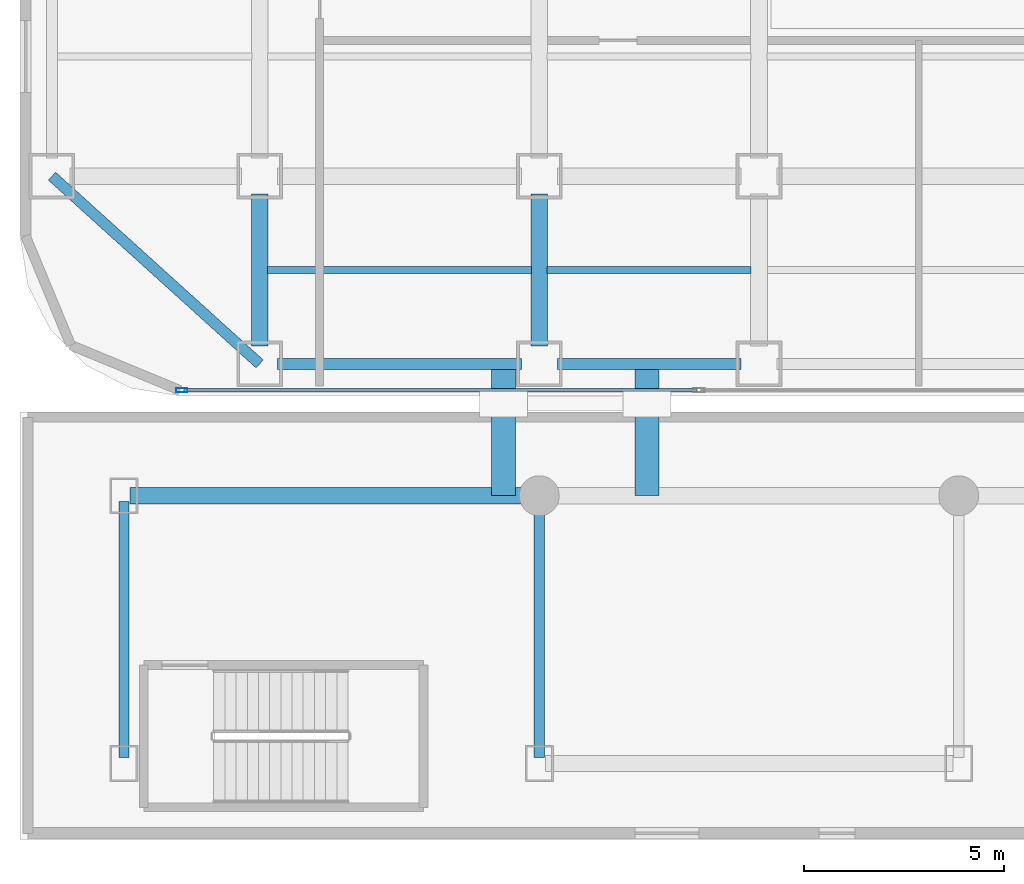
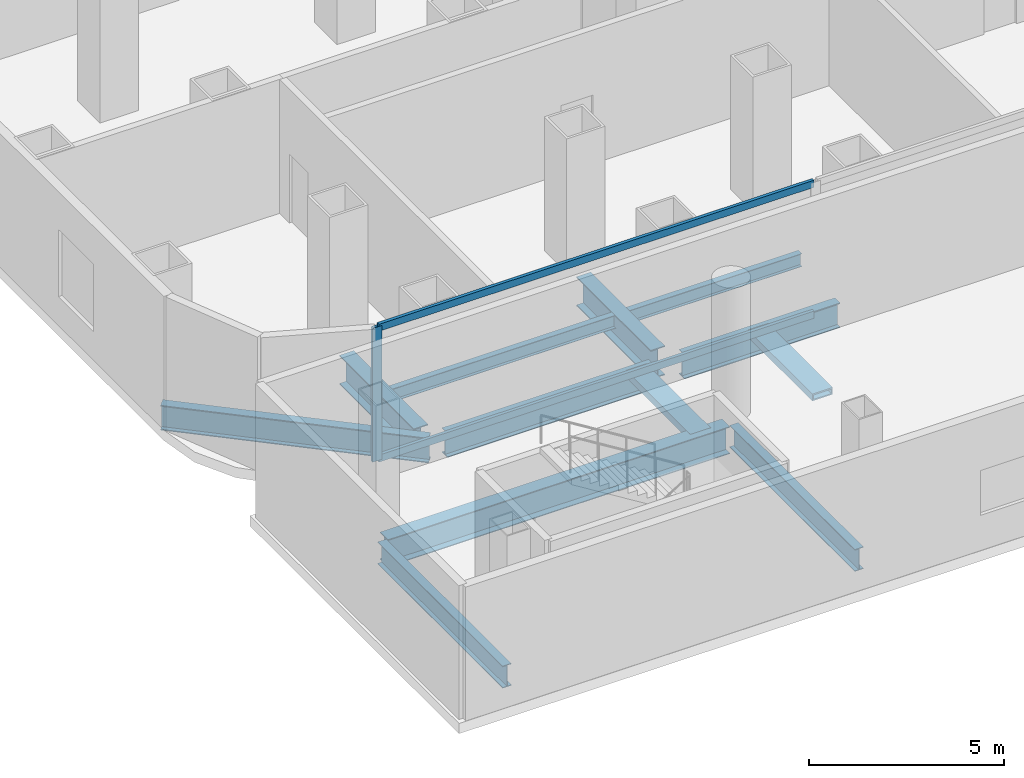
# One storey, part 6 of 26: 10 beams, 5 members, 1 element without a shape of its own.
"""IFC4 building model written with IfcOpenShell, lengths in metres."""

from ifc_helpers import new_model, si_unit, direction, frame, origin, origin_2d, place, context, subcontext, project, spatial, hollow_rectangle, i_section, extrude, source, transform, mapped, material, layer, layer_set, material_profile, profile_set, type_object, element, aggregate, save


model = new_model("IFC4")

# Units and contexts
model_context = context("Model", 3, precision=1e-05, world=origin(), true_north=direction((0.0, 1.0)))
body_context = subcontext(model_context, "Body", "Model", "MODEL_VIEW")
ifc_project = project(units=[si_unit("LENGTHUNIT", "METRE"), si_unit("AREAUNIT", "SQUARE_METRE"), si_unit("VOLUMEUNIT", "CUBIC_METRE"), si_unit("PLANEANGLEUNIT", "RADIAN"), si_unit("MASSUNIT", "GRAM", prefix="KILO")], contexts=[model_context])

# Site, building, storey
site_placement = place(None, origin())
site = spatial("IfcSite", under=ifc_project, at=site_placement, CompositionType="ELEMENT")
building_placement = place(site_placement, origin())
building = spatial("IfcBuilding", under=site, at=building_placement, Name="Kolveth Station Tower", CompositionType="ELEMENT")
storey_placement = place(building_placement, frame((0.0, 0.0, 9.0)))
storey = spatial("IfcBuildingStorey", under=building, at=storey_placement, Name="L02", CompositionType="ELEMENT", Elevation=9.0)

# Beams
ifc_material_1 = material(Name="Steel S355", Category="steel")
ifc_material_profile_1 = material_profile(ifc_material_1, i_section(OverallWidth=0.26904296875, OverallDepth=0.77490234375, WebThickness=0.01708984375, FlangeThickness=0.0283203125, at=origin_2d()), Name="W760x220")
ifc_profile_set_1 = profile_set([ifc_material_profile_1], Name="Steel S355")
beam_type_1 = type_object("IfcBeamType", Name="Beam_SP1", PredefinedType="SPANDREL", material=ifc_profile_set_1)
shared_shape_1 = source(origin(), body_context, "Body", "SweptSolid", [
    extrude(i_section(OverallWidth=0.26904296875, OverallDepth=0.77490234375, WebThickness=0.01708984375, FlangeThickness=0.0283203125, at=origin_2d()), origin(), (0.0, 0.0, 1.0), 6.10009765625),
])
beam_1_placement = place(storey_placement, frame((6.449951171875, 0.800048828125, -0.70751953125), z_axis=(1.0, 0.0, 0.0), x_axis=(0.0, 1.0, 0.0)))
element("IfcBeam", 1, at=beam_1_placement, inside=storey, type_object=beam_type_1, Name="L02 Perimeter Spandrel BM-L02-PS-1", PredefinedType="SPANDREL", context=body_context, shape_type="MappedRepresentation", body=[
    mapped(shared_shape_1, transform((0.0, 0.0, 0.0), x_axis=(1.0, 0.0, 0.0), y_axis=(0.0, 1.0, 0.0), z_axis=(0.0, 0.0, 1.0), scale=1.0)),
])
shared_shape_2 = source(origin(), body_context, "Body", "SweptSolid", [
    extrude(i_section(OverallWidth=0.26904296875, OverallDepth=0.77490234375, WebThickness=0.01708984375, FlangeThickness=0.0283203125, at=origin_2d()), origin(), (0.0, 0.0, 1.0), 4.60009765625),
])
beam_2_placement = place(storey_placement, frame((13.449951171875, 0.800048828125, -0.70751953125), z_axis=(1.0, 0.0, 0.0), x_axis=(0.0, 1.0, 0.0)))
element("IfcBeam", 2, at=beam_2_placement, inside=storey, type_object=beam_type_1, Name="L02 Perimeter Spandrel BM-L02-PS-2", PredefinedType="SPANDREL", context=body_context, shape_type="MappedRepresentation", body=[
    mapped(shared_shape_2, transform((0.0, 0.0, 0.0), x_axis=(1.0, 0.0, 0.0), y_axis=(0.0, 1.0, 0.0), z_axis=(0.0, 0.0, 1.0), scale=1.0)),
])
shared_shape_3 = source(origin(), body_context, "Body", "SweptSolid", [
    extrude(i_section(OverallWidth=0.26904296875, OverallDepth=0.77490234375, WebThickness=0.01708984375, FlangeThickness=0.0283203125, at=origin_2d()), origin(), (0.0, 0.0, 1.0), 7.00927734375),
])
beam_3_placement = place(storey_placement, frame((0.800048828125, 5.5, -0.70751953125), z_axis=(0.741874009795, -0.670539300557, 0.0), x_axis=(0.670539300557, 0.741874009795, 0.0)))
element("IfcBeam", 3, at=beam_3_placement, inside=storey, type_object=beam_type_1, Name="L02 Corner Edge Girder BM-L02-CNR-SW", PredefinedType="SPANDREL", context=body_context, shape_type="MappedRepresentation", body=[
    mapped(shared_shape_3, transform((0.0, 0.0, 0.0), x_axis=(1.0, 0.0, 0.0), y_axis=(0.0, 1.0, 0.0), z_axis=(0.0, 0.0, 1.0), scale=1.0)),
])
ifc_material_profile_2 = material_profile(ifc_material_1, i_section(OverallWidth=0.41796875, OverallDepth=0.912109375, WebThickness=0.019287109375, FlangeThickness=0.031982421875, at=origin_2d()), Name="W920x342")
ifc_profile_set_2 = profile_set([ifc_material_profile_2], Name="Steel S355")
beam_type_2 = type_object("IfcBeamType", Name="Beam_B1", PredefinedType="BEAM", material=ifc_profile_set_2)
shared_shape_4 = source(origin(), body_context, "Body", "SweptSolid", [
    extrude(i_section(OverallWidth=0.41796875, OverallDepth=0.912109375, WebThickness=0.019287109375, FlangeThickness=0.031982421875, at=origin_2d()), origin(), (0.0, 0.0, 1.0), 3.800048828125),
])
for number, where, z_axis, x_axis, name in (
    (4, (6.0, 1.25, -0.77587890625), (0.0, 1.0, 0.0), (-1.0, 0.0, 0.0), "L02 Primary Girder BM-L02-GX60-1"),
    (5, (13.0, 1.25, -0.77587890625), (0.0, 1.0, 0.0), (-1.0, 0.0, 0.0), "L02 Primary Girder BM-L02-GX130-1"),
):
    element("IfcBeam", number, at=place(storey_placement, frame(where, z_axis=z_axis, x_axis=x_axis)), inside=storey, type_object=beam_type_2, Name=name, PredefinedType="BEAM", context=body_context, shape_type="MappedRepresentation", body=[
        mapped(shared_shape_4, transform((0.0, 0.0, 0.0), x_axis=(1.0, 0.0, 0.0), y_axis=(0.0, 1.0, 0.0), z_axis=(0.0, 0.0, 1.0), scale=1.0)),
    ])
ifc_material_profile_3 = material_profile(ifc_material_1, i_section(OverallWidth=0.177978515625, OverallDepth=0.406982421875, WebThickness=0.0078125, FlangeThickness=0.0126953125, at=origin_2d()), Name="W410x60")
ifc_profile_set_3 = profile_set([ifc_material_profile_3], Name="Steel S355")
beam_type_3 = type_object("IfcBeamType", Name="Beam_J1", PredefinedType="JOIST", material=ifc_profile_set_3)
shared_shape_5 = source(origin(), body_context, "Body", "SweptSolid", [
    extrude(i_section(OverallWidth=0.177978515625, OverallDepth=0.406982421875, WebThickness=0.0078125, FlangeThickness=0.0126953125, at=origin_2d()), origin(), (0.0, 0.0, 1.0), 6.60986328125),
])
beam_4_placement = place(storey_placement, frame((6.195068359375, 3.14990234375, -0.5234375), z_axis=(1.0, 0.0, 0.0), x_axis=(0.0, 1.0, 0.0)))
element("IfcBeam", 6, at=beam_4_placement, inside=storey, type_object=beam_type_3, Name="L02 Secondary Joist JST-L02-2-1", PredefinedType="JOIST", context=body_context, shape_type="MappedRepresentation", body=[
    mapped(shared_shape_5, transform((0.0, 0.0, 0.0), x_axis=(1.0, 0.0, 0.0), y_axis=(0.0, 1.0, 0.0), z_axis=(0.0, 0.0, 1.0), scale=1.0)),
])
shared_shape_6 = source(origin(), body_context, "Body", "SweptSolid", [
    extrude(i_section(OverallWidth=0.177978515625, OverallDepth=0.406982421875, WebThickness=0.0078125, FlangeThickness=0.0126953125, at=origin_2d()), origin(), (0.0, 0.0, 1.0), 5.10986328125),
])
beam_5_placement = place(storey_placement, frame((13.195068359375, 3.14990234375, -0.5234375), z_axis=(1.0, 0.0, 0.0), x_axis=(0.0, 1.0, 0.0)))
element("IfcBeam", 7, at=beam_5_placement, inside=storey, type_object=beam_type_3, Name="L02 Secondary Joist JST-L02-3-1", PredefinedType="JOIST", context=body_context, shape_type="MappedRepresentation", body=[
    mapped(shared_shape_6, transform((0.0, 0.0, 0.0), x_axis=(1.0, 0.0, 0.0), y_axis=(0.0, 1.0, 0.0), z_axis=(0.0, 0.0, 1.0), scale=1.0)),
])
ifc_material_profile_4 = material_profile(ifc_material_1, i_section(OverallWidth=0.40087890625, OverallDepth=0.85107421875, WebThickness=0.01611328125, FlangeThickness=0.025390625, at=origin_2d()), Name="W840x226")
ifc_profile_set_4 = profile_set([ifc_material_profile_4], Name="Steel S355")
beam_type_4 = type_object("IfcBeamType", Name="Beam_B2", PredefinedType="BEAM", material=ifc_profile_set_4)
shared_shape_7 = source(origin(), body_context, "Body", "SweptSolid", [
    extrude(i_section(OverallWidth=0.40087890625, OverallDepth=0.85107421875, WebThickness=0.01611328125, FlangeThickness=0.025390625, at=origin_2d()), origin(), (0.0, 0.0, 1.0), 10.10009765625),
])
beam_6_placement = place(storey_placement, frame((2.75, -2.5, -0.74560546875), z_axis=(1.0, 0.0, 0.0), x_axis=(0.0, 1.0, 0.0)))
element("IfcBeam", 8, at=beam_6_placement, inside=storey, type_object=beam_type_4, Name="L02 Station Concourse Girder SBM-L02-SL2-1", PredefinedType="BEAM", context=body_context, shape_type="MappedRepresentation", body=[
    mapped(shared_shape_7, transform((0.0, 0.0, 0.0), x_axis=(1.0, 0.0, 0.0), y_axis=(0.0, 1.0, 0.0), z_axis=(0.0, 0.0, 1.0), scale=1.0)),
])
ifc_material_profile_5 = material_profile(ifc_material_1, i_section(OverallWidth=0.25390625, OverallDepth=0.68798828125, WebThickness=0.01318359375, FlangeThickness=0.02099609375, at=origin_2d()), Name="W690x152")
ifc_profile_set_5 = profile_set([ifc_material_profile_5], Name="Steel S355")
beam_type_5 = type_object("IfcBeamType", Name="Beam_B4", PredefinedType="BEAM", material=ifc_profile_set_5)
shared_shape_8 = source(origin(), body_context, "Body", "SweptSolid", [
    extrude(i_section(OverallWidth=0.25390625, OverallDepth=0.68798828125, WebThickness=0.01318359375, FlangeThickness=0.02099609375, at=origin_2d()), origin(), (0.0, 0.0, 1.0), 6.400146484375),
])
for number, where, z_axis, x_axis, name in (
    (9, (2.60009765625, -9.050048828125, -0.6640625), (0.0, 1.0, 0.0), (-1.0, 0.0, 0.0), "L02 Station Transverse Beam SBM-L02-ST-1"),
    (10, (13.0, -9.050048828125, -0.6640625), (0.0, 1.0, 0.0), (-1.0, 0.0, 0.0), "L02 Station Transverse Beam SBM-L02-ST-2"),
):
    element("IfcBeam", number, at=place(storey_placement, frame(where, z_axis=z_axis, x_axis=x_axis)), inside=storey, type_object=beam_type_5, Name=name, PredefinedType="BEAM", context=body_context, shape_type="MappedRepresentation", body=[
        mapped(shared_shape_8, transform((0.0, 0.0, 0.0), x_axis=(1.0, 0.0, 0.0), y_axis=(0.0, 1.0, 0.0), z_axis=(0.0, 0.0, 1.0), scale=1.0)),
    ])

# Members
ifc_material_2 = material(Name="Steel S355 and PTFE elastomer", Category="steel")
ifc_material_profile_6 = material_profile(ifc_material_2, hollow_rectangle(XDim=0.60009765625, YDim=0.219970703125, WallThickness=0.0400390625, at=origin_2d()), Name="PTFE-BEARING-750x600")
ifc_profile_set_6 = profile_set([ifc_material_profile_6], Name="Steel S355 and PTFE elastomer")
member_type_1 = type_object("IfcMemberType", Name="Mem_BRG1", PredefinedType="USERDEFINED", material=ifc_profile_set_6)
shared_shape_9 = source(origin(), body_context, "Body", "SweptSolid", [
    extrude(hollow_rectangle(XDim=0.60009765625, YDim=0.219970703125, WallThickness=0.0400390625, at=origin_2d()), origin(), (0.0, 0.0, 1.0), 3.300048828125),
])
for number, where, z_axis, x_axis, name in (
    (11, (12.10009765625, -2.5, -0.429931640625), (0.0, 1.0, 0.0), (-1.0, 0.0, 0.0), "L02 Unguided PTFE Sliding Bearing 1.1"),
    (12, (15.699951171875, -2.5, -0.429931640625), (0.0, 1.0, 0.0), (-1.0, 0.0, 0.0), "L02 Unguided PTFE Sliding Bearing 1.2"),
):
    element("IfcMember", number, at=place(storey_placement, frame(where, z_axis=z_axis, x_axis=x_axis)), inside=storey, type_object=member_type_1, Name=name, ObjectType="BEARING", PredefinedType="USERDEFINED", context=body_context, shape_type="MappedRepresentation", body=[
        mapped(shared_shape_9, transform((0.0, 0.0, 0.0), x_axis=(1.0, 0.0, 0.0), y_axis=(0.0, 1.0, 0.0), z_axis=(0.0, 0.0, 1.0), scale=1.0)),
    ])

# Curtain wall, members
ifc_material_3 = material(Name="Black anodized aluminium 6063-T6 and clear station glass", Category="aluminium")
ifc_layer = layer(ifc_material_3, 0.239990234375)
ifc_layer_set = layer_set([ifc_layer], Name="Black anodized aluminium 6063-T6 and clear station glass")
curtain_wall_type = type_object("IfcCurtainWallType", Name="CurtainWall_CW-ST", PredefinedType="NOTDEFINED", material=ifc_layer_set)
curtain_wall_placement = place(storey_placement, origin())
curtain_wall = element("IfcCurtainWall", 13, at=curtain_wall_placement, inside=storey, type_object=curtain_wall_type, Name="L02 Tower Podium South Storefront Curtain Wall", PredefinedType="NOTDEFINED")
ifc_material_4 = material(Name="Black anodized aluminium 6063-T6", Category="aluminium")
ifc_material_profile_7 = material_profile(ifc_material_4, hollow_rectangle(XDim=0.10009765625, YDim=0.280029296875, WallThickness=0.0048828125, at=origin_2d()), Name="ALU-100x280x5")
ifc_profile_set_7 = profile_set([ifc_material_profile_7], Name="Black anodized aluminium 6063-T6")
member_type_2 = type_object("IfcMemberType", Name="Mullion_ML-ST", PredefinedType="MULLION", material=ifc_profile_set_7)
shared_shape_10 = source(origin(), body_context, "Body", "SweptSolid", [
    extrude(hollow_rectangle(XDim=0.10009765625, YDim=0.280029296875, WallThickness=0.0048828125, at=origin_2d()), origin(), (0.0, 0.0, 1.0), 4.179931640625),
])
member_1_placement = place(storey_placement, frame((4.050048828125, 0.139892578125, 0.0), z_axis=(0.0, 0.0, 1.0), x_axis=(0.0, 1.0, 0.0)))
member_1 = element("IfcMember", 14, at=member_1_placement, type_object=member_type_2, Name="CW-ST mullion 1", PredefinedType="MULLION", context=body_context, shape_type="MappedRepresentation", body=[
    mapped(shared_shape_10, transform((0.0, 0.0, 0.0), x_axis=(1.0, 0.0, 0.0), y_axis=(0.0, 1.0, 0.0), z_axis=(0.0, 0.0, 1.0), scale=1.0)),
])
ifc_material_profile_8 = material_profile(ifc_material_4, hollow_rectangle(XDim=0.094970703125, YDim=0.219970703125, WallThickness=0.0048828125, at=origin_2d()), Name="ALU-95x220x5")
ifc_profile_set_8 = profile_set([ifc_material_profile_8], Name="Black anodized aluminium 6063-T6")
member_type_3 = type_object("IfcMemberType", Name="Transom_TR-ST", PredefinedType="USERDEFINED", material=ifc_profile_set_8)
shared_shape_11 = source(origin(), body_context, "Body", "SweptSolid", [
    extrude(hollow_rectangle(XDim=0.094970703125, YDim=0.219970703125, WallThickness=0.0048828125, at=origin_2d()), origin(), (0.0, 0.0, 1.0), 12.849853515625),
])
member_2_placement = place(storey_placement, frame((4.10009765625, 0.139892578125, 0.047607421875), z_axis=(1.0, 0.0, 0.0), x_axis=(0.0, 1.0, 0.0)))
member_2 = element("IfcMember", 15, at=member_2_placement, type_object=member_type_3, Name="CW-ST transom 1.1", ObjectType="TRANSOM", PredefinedType="USERDEFINED", context=body_context, shape_type="MappedRepresentation", body=[
    mapped(shared_shape_11, transform((0.0, 0.0, 0.0), x_axis=(1.0, 0.0, 0.0), y_axis=(0.0, 1.0, 0.0), z_axis=(0.0, 0.0, 1.0), scale=1.0)),
])
member_3_placement = place(storey_placement, frame((4.10009765625, 0.139892578125, 4.132568359375), z_axis=(1.0, 0.0, 0.0), x_axis=(0.0, 1.0, 0.0)))
member_3 = element("IfcMember", 16, at=member_3_placement, type_object=member_type_3, Name="CW-ST transom 1.2", ObjectType="TRANSOM", PredefinedType="USERDEFINED", context=body_context, shape_type="MappedRepresentation", body=[
    mapped(shared_shape_11, transform((0.0, 0.0, 0.0), x_axis=(1.0, 0.0, 0.0), y_axis=(0.0, 1.0, 0.0), z_axis=(0.0, 0.0, 1.0), scale=1.0)),
])
aggregate(curtain_wall, [member_1, member_2, member_3])

save(model, "model.ifc")
